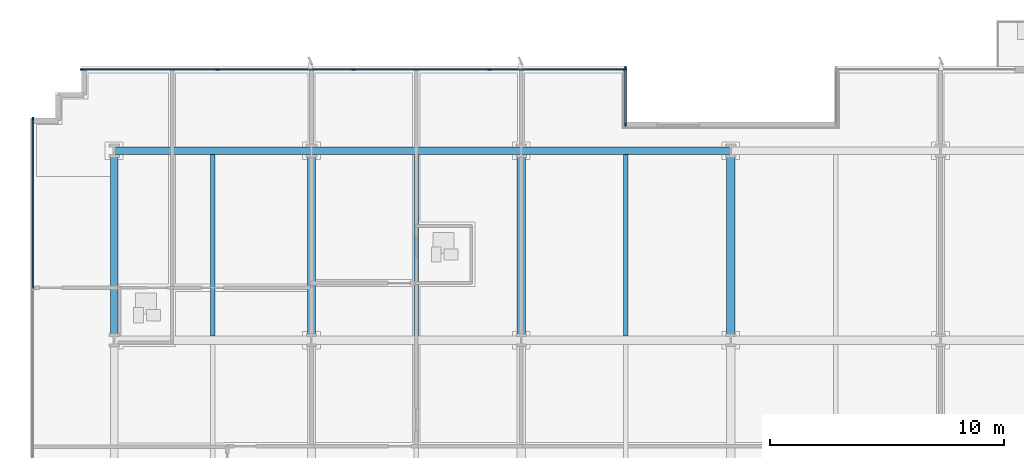
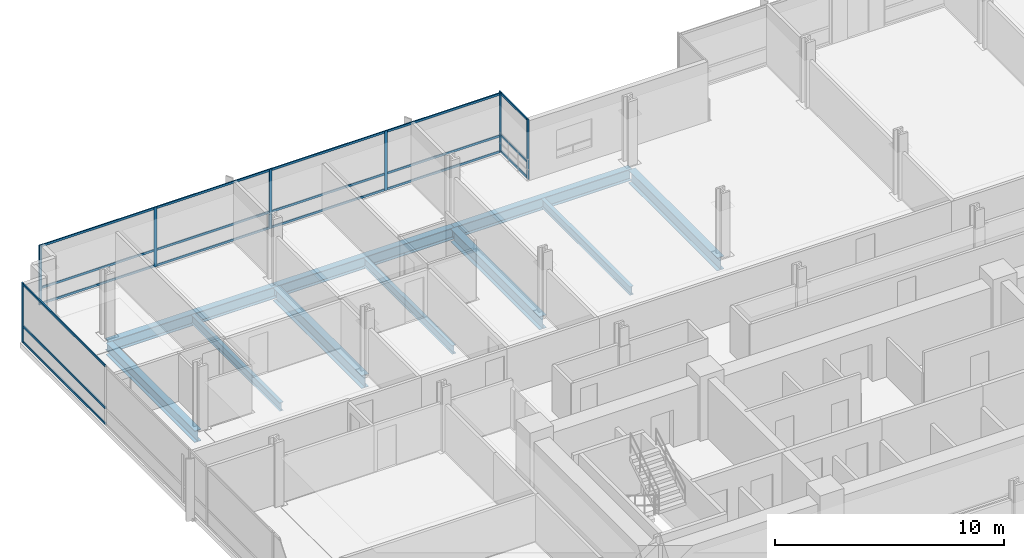
# One storey, part 9 of 21: 26 members, 10 beams, 3 elements without a shape of their own.
"""IFC4 building model written with IfcOpenShell, lengths in metres."""

import ifcopenshell
import ifcopenshell.guid

model = None  # the IFC model being written
_history = None  # IfcOwnerHistory: only IFC2X3 demands one
_inside = {}  # id of a spatial element -> (the spatial element, [elements in it])
_under = {}  # id of a project, library or spatial element -> (it, [spatial elements below it])
_declared = {}  # id of a project -> (the project, [libraries it declares])
_typed = {}  # id of a type object -> (the type object, [elements of that type])
_made_of = {}  # id of a material, layer set ... -> (it, [elements and type objects made of it])


def new_model(schema):
    """Start an empty IFC model of exactly this schema.

    Asked for "IFC4X3", IfcOpenShell would pick the latest addendum, in which some entities
    have other attributes; the version numbers below select the first issue.
    IFC2X3 requires an IfcOwnerHistory on every rooted entity: one is made here for all.
    """
    global model, _history
    if schema == "IFC4X3":
        model = ifcopenshell.file(schema_version=(4, 3, 0, 0))
    else:
        model = ifcopenshell.file(schema=schema)
    _inside.clear()
    _under.clear()
    _declared.clear()
    _typed.clear()
    _made_of.clear()
    _history = None
    if model.schema == "IFC2X3":
        org = make("IfcOrganization", Name="unknown")
        user = make(
            "IfcPersonAndOrganization",
            ThePerson=make("IfcPerson", FamilyName="unknown"),
            TheOrganization=org,
        )
        app = make(
            "IfcApplication",
            ApplicationDeveloper=org,
            Version="unknown",
            ApplicationFullName="unknown",
            ApplicationIdentifier="unknown",
        )
        _history = make(
            "IfcOwnerHistory",
            OwningUser=user,
            OwningApplication=app,
            ChangeAction="ADDED",
            CreationDate=0,
        )
    return model


def make(cls, **values):
    """One entity of the class cls with the attributes given. An attribute that is None is left unset."""
    return model.create_entity(
        cls, **{name: value for name, value in values.items() if value is not None}
    )


def rooted(cls, **values):
    """An entity with a GlobalId (a new one), such as an element, a storey or a relation."""
    return make(cls, GlobalId=ifcopenshell.guid.new(), OwnerHistory=_history, **values)


def si_unit(unit_type, name, prefix=None):
    """IfcSIUnit, for example si_unit("LENGTHUNIT", "METRE", prefix="MILLI")."""
    return make("IfcSIUnit", UnitType=unit_type, Prefix=prefix, Name=name)


def assignment(units):
    """IfcUnitAssignment: the units of a project."""
    return None if units is None else make("IfcUnitAssignment", Units=units)


def point(xyz):
    """IfcCartesianPoint."""
    return None if xyz is None else make("IfcCartesianPoint", Coordinates=xyz)


def direction(xyz):
    """IfcDirection."""
    return None if xyz is None else make("IfcDirection", DirectionRatios=xyz)


def frame(location, z_axis=None, x_axis=None):
    """IfcAxis2Placement3D, a coordinate frame: its origin and axes. An axis left out is left unset."""
    return make(
        "IfcAxis2Placement3D",
        Location=point(location),
        Axis=direction(z_axis),
        RefDirection=direction(x_axis),
    )


def frame_2d(location, x_axis=None):
    """IfcAxis2Placement2D, a coordinate frame in the plane: its origin and x axis."""
    return make(
        "IfcAxis2Placement2D", Location=point(location), RefDirection=direction(x_axis)
    )


def origin():
    """The frame at (0, 0, 0) with its axes left unset."""
    return frame((0.0, 0.0, 0.0))


def origin_2d():
    """The frame at (0, 0) in the plane with its x axis left unset."""
    return frame_2d((0.0, 0.0))


def place(relative_to, where):
    """IfcLocalPlacement: puts the frame where relative to a parent placement (None: the world)."""
    return make(
        "IfcLocalPlacement", PlacementRelTo=relative_to, RelativePlacement=where
    )


def context(
    kind, dimensions, precision=None, world=None, true_north=None, identifier=None
):
    """IfcGeometricRepresentationContext, for example the 3D "Model" context."""
    return make(
        "IfcGeometricRepresentationContext",
        ContextIdentifier=identifier,
        ContextType=kind,
        CoordinateSpaceDimension=dimensions,
        Precision=precision,
        WorldCoordinateSystem=world,
        TrueNorth=true_north,
    )


def subcontext(parent, identifier, kind, view, scale=None):
    """IfcGeometricRepresentationSubContext, for example "Body" below "Model"."""
    return make(
        "IfcGeometricRepresentationSubContext",
        ContextIdentifier=identifier,
        ContextType=kind,
        ParentContext=parent,
        TargetScale=scale,
        TargetView=view,
    )


def project(units=None, contexts=None):
    """IfcProject with its units and contexts."""
    return rooted(
        "IfcProject",
        Name="project",
        RepresentationContexts=contexts,
        UnitsInContext=assignment(units),
    )


def spatial(cls, under=None, at=None, **own):
    """A site, building, storey or space (cls), placed at a placement, below another one or the project."""
    s = rooted(cls, ObjectPlacement=at, **own)
    if under is not None:
        _under.setdefault(under.id(), (under, []))[1].append(s)
    return s


def profile(cls, at=None, kind="AREA", **sizes):
    """A parametric profile (cls). Its sizes go by their IFC names, for example OverallWidth=200.0."""
    return make(cls, ProfileType=kind, Position=at, **sizes)


def rectangle(**sizes):
    """IfcRectangleProfileDef."""
    return profile("IfcRectangleProfileDef", **sizes)


def i_section(**sizes):
    """IfcIShapeProfileDef."""
    return profile("IfcIShapeProfileDef", **sizes)


def extrude(swept, where, along, depth):
    """IfcExtrudedAreaSolid: the profile swept, set in the frame where, extruded along a direction by depth."""
    return make(
        "IfcExtrudedAreaSolid",
        SweptArea=swept,
        Position=where,
        ExtrudedDirection=direction(along),
        Depth=depth,
    )


def shape(context_of_items, identifier, shape_type, items):
    """IfcShapeRepresentation: the items that make up one representation, for example the "Body"."""
    return make(
        "IfcShapeRepresentation",
        ContextOfItems=context_of_items,
        RepresentationIdentifier=identifier,
        RepresentationType=shape_type,
        Items=items,
    )


def material(Name=None, Category=None):
    """IfcMaterial."""
    return make("IfcMaterial", Name=Name, Category=Category)


def material_profile(
    of_material, cross_section, Name=None, Category=None, Priority=None
):
    """IfcMaterialProfile: a cross section and its material."""
    return make(
        "IfcMaterialProfile",
        Name=Name,
        Material=of_material,
        Profile=cross_section,
        Priority=Priority,
        Category=Category,
    )


def profile_set(profiles, Name=None, composite=None):
    """IfcMaterialProfileSet."""
    return make(
        "IfcMaterialProfileSet",
        Name=Name,
        MaterialProfiles=profiles,
        CompositeProfile=composite,
    )


def made_of(thing, what):
    """Note that an element or type object is made of a material, layer set ...; save() writes the relation."""
    if what is not None:
        _made_of.setdefault(what.id(), (what, []))[1].append(thing)
    return thing


def type_object(cls, material=None, **own):
    """A type object (cls), such as IfcWallType, which elements share."""
    return made_of(rooted(cls, **own), material)


def element(
    cls,
    number,
    at=None,
    inside=None,
    cuts=None,
    type_object=None,
    material=None,
    context=None,
    identifier="Body",
    shape_type=None,
    held_by="IfcProductDefinitionShape",
    body=None,
    shapes=None,
    **own,
):
    """One element of the class cls, such as IfcWall. Its Tag is "e" and its number.

    at: its placement. inside: the storey or other place that contains it. cuts: it is an
    opening in that element (IfcRelVoidsElement). A single representation is given by context,
    identifier, shape_type and body (its items); several are given by shapes. held_by: the class
    of the entity that holds the representations. save() writes the other relations.
    """
    e = rooted(cls, Tag="e%d" % number, ObjectPlacement=at, **own)
    if body is not None:
        shapes = [shape(context, identifier, shape_type, body)]
    if shapes is not None:
        e.Representation = make(held_by, Representations=shapes)
    if inside is not None:
        _inside.setdefault(inside.id(), (inside, []))[1].append(e)
    if cuts is not None:
        rooted(
            "IfcRelVoidsElement", RelatingBuildingElement=cuts, RelatedOpeningElement=e
        )
    if type_object is not None:
        _typed.setdefault(type_object.id(), (type_object, []))[1].append(e)
    return made_of(e, material)


def aggregate(whole, parts):
    """IfcRelAggregates: a whole, such as a stair, and the parts it consists of."""
    return rooted("IfcRelAggregates", RelatingObject=whole, RelatedObjects=parts)


def save(model, path):
    """Write the relations noted so far, then the file.

    IfcRelAggregates (storeys below a building ...), IfcRelContainedInSpatialStructure (elements
    in a storey), IfcRelDefinesByType, IfcRelAssociatesMaterial and IfcRelDeclares: one each for
    every whole, place, type object, material and project.
    """
    for whole, parts in _under.values():
        aggregate(whole, parts)
    for where, things in _inside.values():
        rooted(
            "IfcRelContainedInSpatialStructure",
            RelatedElements=things,
            RelatingStructure=where,
        )
    for kind, things in _typed.values():
        rooted("IfcRelDefinesByType", RelatedObjects=things, RelatingType=kind)
    for what, things in _made_of.values():
        rooted("IfcRelAssociatesMaterial", RelatedObjects=things, RelatingMaterial=what)
    for by, libraries in _declared.values():
        rooted("IfcRelDeclares", RelatingContext=by, RelatedDefinitions=libraries)
    model.write(path)


model = new_model("IFC4")

# Units and contexts
model_context = context("Model", 3, precision=1e-05, world=origin(), true_north=direction((0.0, 1.0)))
body_context = subcontext(model_context, "Body", "Model", "MODEL_VIEW")
ifc_project = project(units=[si_unit("LENGTHUNIT", "METRE"), si_unit("AREAUNIT", "SQUARE_METRE"), si_unit("VOLUMEUNIT", "CUBIC_METRE"), si_unit("PLANEANGLEUNIT", "RADIAN"), si_unit("MASSUNIT", "GRAM", prefix="KILO")], contexts=[model_context])

# Site, building, storey
site_placement = place(None, origin())
site = spatial("IfcSite", under=ifc_project, at=site_placement, CompositionType="ELEMENT")
building_placement = place(site_placement, origin())
building = spatial("IfcBuilding", under=site, at=building_placement, Name="Solmavex Isthmus Hotel", CompositionType="ELEMENT")
storey_placement = place(building_placement, frame((0.0, 0.0, 60.89990234375)))
storey = spatial("IfcBuildingStorey", under=building, at=storey_placement, Name="L16", CompositionType="ELEMENT", Elevation=60.89990234375)

# Beams
ifc_material_1 = material(Name="Steel ASTM A992 Grade 50", Category="steel")
ifc_material_profile_1 = material_profile(ifc_material_1, i_section(OverallWidth=0.354736328125, OverallDepth=0.695556640625, WebThickness=0.015380859375, FlangeThickness=0.02490234375, FilletRadius=0.017822265625, at=origin_2d()), Name="W27X146")
ifc_profile_set_1 = profile_set([ifc_material_profile_1], Name="Steel ASTM A992 Grade 50")
beam_type_1 = type_object("IfcBeamType", Name="BM-BG-W27X146", PredefinedType="BEAM", material=ifc_profile_set_1)
for number, where, z_axis, x_axis, name in (
    (1, (-17.951904296875, 8.96533203125, -0.607666015625), (0.0, 1.0, 0.0), (-1.0, 0.0, 0.0), "Floor Beam L16-VG30"),
    (2, (-8.97607421875, 8.96533203125, -0.607666015625), (0.0, 1.0, 0.0), (-1.0, 0.0, 0.0), "Floor Beam L16-VG34"),
    (3, (0.0, 8.96533203125, -0.607666015625), (0.0, 1.0, 0.0), (-1.0, 0.0, 0.0), "Floor Beam L16-VG38"),
):
    element("IfcBeam", number, at=place(storey_placement, frame(where, z_axis=z_axis, x_axis=x_axis)), inside=storey, type_object=beam_type_1, Name=name, PredefinedType="BEAM", context=body_context, shape_type="SweptSolid", body=[
        extrude(i_section(OverallWidth=0.354736328125, OverallDepth=0.695556640625, WebThickness=0.015380859375, FlangeThickness=0.02490234375, FilletRadius=0.017822265625, at=origin_2d()), origin(), (0.0, 0.0, 1.0), 7.771484375),
    ])
ifc_material_profile_2 = material_profile(ifc_material_1, i_section(OverallWidth=0.1904296875, OverallDepth=0.456787109375, WebThickness=0.009033203125, FlangeThickness=0.014404296875, FilletRadius=0.0126953125, at=origin_2d()), Name="W18X50")
ifc_profile_set_2 = profile_set([ifc_material_profile_2], Name="Steel ASTM A992 Grade 50")
beam_type_2 = type_object("IfcBeamType", Name="BM-BJ-W18X50", PredefinedType="JOIST", material=ifc_profile_set_2)
for number, where, z_axis, x_axis, name in (
    (4, (-22.176025390625, 8.96533203125, -0.48828125), (0.0, 1.0, 0.0), (-1.0, 0.0, 0.0), "Secondary Floor Joist L16-J03"),
    (5, (-13.464111328125, 8.96533203125, -0.48828125), (0.0, 1.0, 0.0), (-1.0, 0.0, 0.0), "Secondary Floor Joist L16-J07"),
    (6, (-4.488037109375, 8.96533203125, -0.48828125), (0.0, 1.0, 0.0), (-1.0, 0.0, 0.0), "Secondary Floor Joist L16-J11"),
):
    element("IfcBeam", number, at=place(storey_placement, frame(where, z_axis=z_axis, x_axis=x_axis)), inside=storey, type_object=beam_type_2, Name=name, PredefinedType="JOIST", context=body_context, shape_type="SweptSolid", body=[
        extrude(i_section(OverallWidth=0.1904296875, OverallDepth=0.456787109375, WebThickness=0.009033203125, FlangeThickness=0.014404296875, FilletRadius=0.0126953125, at=origin_2d()), origin(), (0.0, 0.0, 1.0), 7.771484375),
    ])
ifc_material_profile_3 = material_profile(ifc_material_1, i_section(OverallWidth=0.326416015625, OverallDepth=0.621826171875, WebThickness=0.015380859375, FlangeThickness=0.0244140625, FilletRadius=0.01513671875, at=origin_2d()), Name="W24X131")
ifc_profile_set_3 = profile_set([ifc_material_profile_3], Name="Steel ASTM A992 Grade 50")
beam_type_3 = type_object("IfcBeamType", Name="BM-SP-W24X131", PredefinedType="SPANDREL", material=ifc_profile_set_3)
beam_1_placement = place(storey_placement, frame((-26.39990234375, 16.89990234375, -0.57080078125), z_axis=(1.0, 0.0, 0.0), x_axis=(0.0, 1.0, 0.0)))
element("IfcBeam", 7, at=beam_1_placement, inside=storey, type_object=beam_type_3, Name="Floor Girder L16-UG19", PredefinedType="SPANDREL", context=body_context, shape_type="SweptSolid", body=[
    extrude(i_section(OverallWidth=0.326416015625, OverallDepth=0.621826171875, WebThickness=0.015380859375, FlangeThickness=0.0244140625, FilletRadius=0.01513671875, at=origin_2d()), origin(), (0.0, 0.0, 1.0), 8.447998046875),
])
beam_2_placement = place(storey_placement, frame((-17.951904296875, 16.89990234375, -0.57080078125), z_axis=(1.0, 0.0, 0.0), x_axis=(0.0, 1.0, 0.0)))
element("IfcBeam", 8, at=beam_2_placement, inside=storey, type_object=beam_type_3, Name="Floor Girder L16-UG20", PredefinedType="SPANDREL", context=body_context, shape_type="SweptSolid", body=[
    extrude(i_section(OverallWidth=0.326416015625, OverallDepth=0.621826171875, WebThickness=0.015380859375, FlangeThickness=0.0244140625, FilletRadius=0.01513671875, at=origin_2d()), origin(), (0.0, 0.0, 1.0), 8.975830078125),
])
beam_3_placement = place(storey_placement, frame((-8.97607421875, 16.89990234375, -0.57080078125), z_axis=(1.0, 0.0, 0.0), x_axis=(0.0, 1.0, 0.0)))
element("IfcBeam", 9, at=beam_3_placement, inside=storey, type_object=beam_type_3, Name="Floor Girder L16-UG21", PredefinedType="SPANDREL", context=body_context, shape_type="SweptSolid", body=[
    extrude(i_section(OverallWidth=0.326416015625, OverallDepth=0.621826171875, WebThickness=0.015380859375, FlangeThickness=0.0244140625, FilletRadius=0.01513671875, at=origin_2d()), origin(), (0.0, 0.0, 1.0), 8.97607421875),
])
beam_4_placement = place(storey_placement, frame((-26.39990234375, 8.96533203125, -0.57080078125), z_axis=(0.0, 1.0, 0.0), x_axis=(-1.0, 0.0, 0.0)))
element("IfcBeam", 10, at=beam_4_placement, inside=storey, type_object=beam_type_3, Name="Floor Beam L16-VG27", PredefinedType="SPANDREL", context=body_context, shape_type="SweptSolid", body=[
    extrude(i_section(OverallWidth=0.326416015625, OverallDepth=0.621826171875, WebThickness=0.015380859375, FlangeThickness=0.0244140625, FilletRadius=0.01513671875, at=origin_2d()), origin(), (0.0, 0.0, 1.0), 7.771484375),
])

# Curtain wall, members
ifc_material_2 = material(Name="Aluminium alloy 6063-T6", Category="aluminium")
curtain_wall_type = type_object("IfcCurtainWallType", Name="CW-SYS-06", PredefinedType="NOTDEFINED", material=ifc_material_2)
curtain_wall_1_placement = place(storey_placement, origin())
curtain_wall_1 = element("IfcCurtainWall", 11, at=curtain_wall_1_placement, inside=storey, type_object=curtain_wall_type, Name="Stick Curtain Wall CWL-L16-SGW", PredefinedType="NOTDEFINED")
ifc_material_profile_4 = material_profile(ifc_material_2, rectangle(XDim=0.06005859375, YDim=0.139892578125, at=origin_2d()), Name="CWM-60X140")
ifc_profile_set_4 = profile_set([ifc_material_profile_4], Name="Aluminium alloy 6063-T6")
member_type_1 = type_object("IfcMemberType", Name="CW-SYS-06-MUL", PredefinedType="MULLION", material=ifc_profile_set_4)
member_1_placement = place(storey_placement, frame((-4.5, 18.030029296875, 0.0), z_axis=(0.0, 0.0, 1.0), x_axis=(-1.0, 0.0, 0.0)))
member_1 = element("IfcMember", 12, at=member_1_placement, type_object=member_type_1, Name="CW-06 mullion 1", PredefinedType="MULLION", context=body_context, shape_type="SweptSolid", body=[
    extrude(rectangle(XDim=0.06005859375, YDim=0.139892578125, at=origin_2d()), origin(), (0.0, 0.0, 1.0), 3.190185546875),
])
member_2_placement = place(storey_placement, frame((-4.5, 20.449951171875, 0.0), z_axis=(0.0, 0.0, 1.0), x_axis=(-1.0, 0.0, 0.0)))
member_2 = element("IfcMember", 13, at=member_2_placement, type_object=member_type_1, Name="CW-06 mullion 2", PredefinedType="MULLION", context=body_context, shape_type="SweptSolid", body=[
    extrude(rectangle(XDim=0.06005859375, YDim=0.139892578125, at=origin_2d()), origin(), (0.0, 0.0, 1.0), 3.190185546875),
])

curtain_wall_2_placement = place(storey_placement, origin())
curtain_wall_2 = element("IfcCurtainWall", 14, at=curtain_wall_2_placement, inside=storey, type_object=curtain_wall_type, Name="Stick Curtain Wall CWL-L16-N1", PredefinedType="NOTDEFINED")
member_3_placement = place(storey_placement, frame((-27.77001953125, 20.3798828125, 0.0), z_axis=(0.0, 0.0, 1.0), x_axis=(0.0, 1.0, 0.0)))
member_3 = element("IfcMember", 15, at=member_3_placement, type_object=member_type_1, Name="CW-06 mullion 1", PredefinedType="MULLION", context=body_context, shape_type="SweptSolid", body=[
    extrude(rectangle(XDim=0.06005859375, YDim=0.139892578125, at=origin_2d()), origin(), (0.0, 0.0, 1.0), 3.190185546875),
])
member_4_placement = place(storey_placement, frame((-21.97509765625, 20.3798828125, 0.0), z_axis=(0.0, 0.0, 1.0), x_axis=(0.0, 1.0, 0.0)))
member_4 = element("IfcMember", 16, at=member_4_placement, type_object=member_type_1, Name="CW-06 mullion 2", PredefinedType="MULLION", context=body_context, shape_type="SweptSolid", body=[
    extrude(rectangle(XDim=0.06005859375, YDim=0.139892578125, at=origin_2d()), origin(), (0.0, 0.0, 1.0), 3.190185546875),
])
member_5_placement = place(storey_placement, frame((-16.14990234375, 20.3798828125, 0.0), z_axis=(0.0, 0.0, 1.0), x_axis=(0.0, 1.0, 0.0)))
member_5 = element("IfcMember", 17, at=member_5_placement, type_object=member_type_1, Name="CW-06 mullion 3", PredefinedType="MULLION", context=body_context, shape_type="SweptSolid", body=[
    extrude(rectangle(XDim=0.06005859375, YDim=0.139892578125, at=origin_2d()), origin(), (0.0, 0.0, 1.0), 3.190185546875),
])
member_6_placement = place(storey_placement, frame((-10.324951171875, 20.3798828125, 0.0), z_axis=(0.0, 0.0, 1.0), x_axis=(0.0, 1.0, 0.0)))
member_6 = element("IfcMember", 18, at=member_6_placement, type_object=member_type_1, Name="CW-06 mullion 4", PredefinedType="MULLION", context=body_context, shape_type="SweptSolid", body=[
    extrude(rectangle(XDim=0.06005859375, YDim=0.139892578125, at=origin_2d()), origin(), (0.0, 0.0, 1.0), 3.190185546875),
])
member_7_placement = place(storey_placement, frame((-4.530029296875, 20.3798828125, 0.0), z_axis=(0.0, 0.0, 1.0), x_axis=(0.0, 1.0, 0.0)))
member_7 = element("IfcMember", 19, at=member_7_placement, type_object=member_type_1, Name="CW-06 mullion 5", PredefinedType="MULLION", context=body_context, shape_type="SweptSolid", body=[
    extrude(rectangle(XDim=0.06005859375, YDim=0.139892578125, at=origin_2d()), origin(), (0.0, 0.0, 1.0), 3.190185546875),
])

# Curtain wall, member
curtain_wall_3_placement = place(storey_placement, origin())
curtain_wall_3 = element("IfcCurtainWall", 20, at=curtain_wall_3_placement, inside=storey, type_object=curtain_wall_type, Name="Stick Curtain Wall CWL-L16-W1", PredefinedType="NOTDEFINED")
member_8_placement = place(storey_placement, frame((-29.8798828125, 18.27001953125, 0.0), z_axis=(0.0, 0.0, 1.0), x_axis=(-1.0, 0.0, 0.0)))
member_8 = element("IfcMember", 21, at=member_8_placement, type_object=member_type_1, Name="CW-06 mullion 6", PredefinedType="MULLION", context=body_context, shape_type="SweptSolid", body=[
    extrude(rectangle(XDim=0.06005859375, YDim=0.139892578125, at=origin_2d()), origin(), (0.0, 0.0, 1.0), 3.190185546875),
])

# Member
ifc_material_profile_5 = material_profile(ifc_material_2, rectangle(XDim=0.06005859375, YDim=0.114990234375, at=origin_2d()), Name="CWT-60X115")
ifc_profile_set_5 = profile_set([ifc_material_profile_5], Name="Aluminium alloy 6063-T6")
member_type_2 = type_object("IfcMemberType", Name="CW-SYS-06-TRN", PredefinedType="USERDEFINED", material=ifc_profile_set_5)
member_9_placement = place(storey_placement, frame((-4.5, 18.06005859375, 0.0576171875), z_axis=(0.0, 1.0, 0.0), x_axis=(-1.0, 0.0, 0.0)))
member_9 = element("IfcMember", 22, at=member_9_placement, type_object=member_type_2, Name="CW-06 transom 1.1", ObjectType="TRANSOM", PredefinedType="USERDEFINED", context=body_context, shape_type="SweptSolid", body=[
    extrude(rectangle(XDim=0.06005859375, YDim=0.114990234375, at=origin_2d()), origin(), (0.0, 0.0, 1.0), 2.35986328125),
])

member_10_placement = place(storey_placement, frame((-4.5, 18.06005859375, 0.900146484375), z_axis=(0.0, 1.0, 0.0), x_axis=(-1.0, 0.0, 0.0)))
member_10 = element("IfcMember", 23, at=member_10_placement, type_object=member_type_2, Name="CW-06 transom 1.2", ObjectType="TRANSOM", PredefinedType="USERDEFINED", context=body_context, shape_type="SweptSolid", body=[
    extrude(rectangle(XDim=0.06005859375, YDim=0.114990234375, at=origin_2d()), origin(), (0.0, 0.0, 1.0), 2.35986328125),
])

member_11_placement = place(storey_placement, frame((-4.5, 18.06005859375, 3.132568359375), z_axis=(0.0, 1.0, 0.0), x_axis=(-1.0, 0.0, 0.0)))
member_11 = element("IfcMember", 24, at=member_11_placement, type_object=member_type_2, Name="CW-06 transom 1.3", ObjectType="TRANSOM", PredefinedType="USERDEFINED", context=body_context, shape_type="SweptSolid", body=[
    extrude(rectangle(XDim=0.06005859375, YDim=0.114990234375, at=origin_2d()), origin(), (0.0, 0.0, 1.0), 2.35986328125),
])

aggregate(curtain_wall_1, [member_1, member_2, member_9, member_10, member_11])

member_12_placement = place(storey_placement, frame((-27.739990234375, 20.3798828125, 0.0576171875), z_axis=(1.0, 0.0, 0.0), x_axis=(0.0, 1.0, 0.0)))
member_12 = element("IfcMember", 25, at=member_12_placement, type_object=member_type_2, Name="CW-06 transom 1.1", ObjectType="TRANSOM", PredefinedType="USERDEFINED", context=body_context, shape_type="SweptSolid", body=[
    extrude(rectangle(XDim=0.06005859375, YDim=0.114990234375, at=origin_2d()), origin(), (0.0, 0.0, 1.0), 5.735107421875),
])

member_13_placement = place(storey_placement, frame((-27.739990234375, 20.3798828125, 0.900146484375), z_axis=(1.0, 0.0, 0.0), x_axis=(0.0, 1.0, 0.0)))
member_13 = element("IfcMember", 26, at=member_13_placement, type_object=member_type_2, Name="CW-06 transom 1.2", ObjectType="TRANSOM", PredefinedType="USERDEFINED", context=body_context, shape_type="SweptSolid", body=[
    extrude(rectangle(XDim=0.06005859375, YDim=0.114990234375, at=origin_2d()), origin(), (0.0, 0.0, 1.0), 5.735107421875),
])

member_14_placement = place(storey_placement, frame((-27.739990234375, 20.3798828125, 3.132568359375), z_axis=(1.0, 0.0, 0.0), x_axis=(0.0, 1.0, 0.0)))
member_14 = element("IfcMember", 27, at=member_14_placement, type_object=member_type_2, Name="CW-06 transom 1.3", ObjectType="TRANSOM", PredefinedType="USERDEFINED", context=body_context, shape_type="SweptSolid", body=[
    extrude(rectangle(XDim=0.06005859375, YDim=0.114990234375, at=origin_2d()), origin(), (0.0, 0.0, 1.0), 5.735107421875),
])

member_15_placement = place(storey_placement, frame((-21.945068359375, 20.3798828125, 0.0576171875), z_axis=(1.0, 0.0, 0.0), x_axis=(0.0, 1.0, 0.0)))
member_15 = element("IfcMember", 28, at=member_15_placement, type_object=member_type_2, Name="CW-06 transom 2.1", ObjectType="TRANSOM", PredefinedType="USERDEFINED", context=body_context, shape_type="SweptSolid", body=[
    extrude(rectangle(XDim=0.06005859375, YDim=0.114990234375, at=origin_2d()), origin(), (0.0, 0.0, 1.0), 5.76513671875),
])

member_16_placement = place(storey_placement, frame((-21.945068359375, 20.3798828125, 0.900146484375), z_axis=(1.0, 0.0, 0.0), x_axis=(0.0, 1.0, 0.0)))
member_16 = element("IfcMember", 29, at=member_16_placement, type_object=member_type_2, Name="CW-06 transom 2.2", ObjectType="TRANSOM", PredefinedType="USERDEFINED", context=body_context, shape_type="SweptSolid", body=[
    extrude(rectangle(XDim=0.06005859375, YDim=0.114990234375, at=origin_2d()), origin(), (0.0, 0.0, 1.0), 5.76513671875),
])

member_17_placement = place(storey_placement, frame((-21.945068359375, 20.3798828125, 3.132568359375), z_axis=(1.0, 0.0, 0.0), x_axis=(0.0, 1.0, 0.0)))
member_17 = element("IfcMember", 30, at=member_17_placement, type_object=member_type_2, Name="CW-06 transom 2.3", ObjectType="TRANSOM", PredefinedType="USERDEFINED", context=body_context, shape_type="SweptSolid", body=[
    extrude(rectangle(XDim=0.06005859375, YDim=0.114990234375, at=origin_2d()), origin(), (0.0, 0.0, 1.0), 5.76513671875),
])

member_18_placement = place(storey_placement, frame((-16.1201171875, 20.3798828125, 0.0576171875), z_axis=(1.0, 0.0, 0.0), x_axis=(0.0, 1.0, 0.0)))
member_18 = element("IfcMember", 31, at=member_18_placement, type_object=member_type_2, Name="CW-06 transom 3.1", ObjectType="TRANSOM", PredefinedType="USERDEFINED", context=body_context, shape_type="SweptSolid", body=[
    extrude(rectangle(XDim=0.06005859375, YDim=0.114990234375, at=origin_2d()), origin(), (0.0, 0.0, 1.0), 5.76513671875),
])

member_19_placement = place(storey_placement, frame((-16.1201171875, 20.3798828125, 0.900146484375), z_axis=(1.0, 0.0, 0.0), x_axis=(0.0, 1.0, 0.0)))
member_19 = element("IfcMember", 32, at=member_19_placement, type_object=member_type_2, Name="CW-06 transom 3.2", ObjectType="TRANSOM", PredefinedType="USERDEFINED", context=body_context, shape_type="SweptSolid", body=[
    extrude(rectangle(XDim=0.06005859375, YDim=0.114990234375, at=origin_2d()), origin(), (0.0, 0.0, 1.0), 5.76513671875),
])

member_20_placement = place(storey_placement, frame((-16.1201171875, 20.3798828125, 3.132568359375), z_axis=(1.0, 0.0, 0.0), x_axis=(0.0, 1.0, 0.0)))
member_20 = element("IfcMember", 33, at=member_20_placement, type_object=member_type_2, Name="CW-06 transom 3.3", ObjectType="TRANSOM", PredefinedType="USERDEFINED", context=body_context, shape_type="SweptSolid", body=[
    extrude(rectangle(XDim=0.06005859375, YDim=0.114990234375, at=origin_2d()), origin(), (0.0, 0.0, 1.0), 5.76513671875),
])

member_21_placement = place(storey_placement, frame((-10.294921875, 20.3798828125, 0.0576171875), z_axis=(1.0, 0.0, 0.0), x_axis=(0.0, 1.0, 0.0)))
member_21 = element("IfcMember", 34, at=member_21_placement, type_object=member_type_2, Name="CW-06 transom 4.1", ObjectType="TRANSOM", PredefinedType="USERDEFINED", context=body_context, shape_type="SweptSolid", body=[
    extrude(rectangle(XDim=0.06005859375, YDim=0.114990234375, at=origin_2d()), origin(), (0.0, 0.0, 1.0), 5.73486328125),
])

member_22_placement = place(storey_placement, frame((-10.294921875, 20.3798828125, 0.900146484375), z_axis=(1.0, 0.0, 0.0), x_axis=(0.0, 1.0, 0.0)))
member_22 = element("IfcMember", 35, at=member_22_placement, type_object=member_type_2, Name="CW-06 transom 4.2", ObjectType="TRANSOM", PredefinedType="USERDEFINED", context=body_context, shape_type="SweptSolid", body=[
    extrude(rectangle(XDim=0.06005859375, YDim=0.114990234375, at=origin_2d()), origin(), (0.0, 0.0, 1.0), 5.73486328125),
])

member_23_placement = place(storey_placement, frame((-10.294921875, 20.3798828125, 3.132568359375), z_axis=(1.0, 0.0, 0.0), x_axis=(0.0, 1.0, 0.0)))
member_23 = element("IfcMember", 36, at=member_23_placement, type_object=member_type_2, Name="CW-06 transom 4.3", ObjectType="TRANSOM", PredefinedType="USERDEFINED", context=body_context, shape_type="SweptSolid", body=[
    extrude(rectangle(XDim=0.06005859375, YDim=0.114990234375, at=origin_2d()), origin(), (0.0, 0.0, 1.0), 5.73486328125),
])

aggregate(curtain_wall_2, [member_3, member_4, member_5, member_6, member_7, member_12, member_13, member_14, member_15, member_16, member_17, member_18, member_19, member_20, member_21, member_22, member_23])

member_24_placement = place(storey_placement, frame((-29.8798828125, 11.010009765625, 0.0576171875), z_axis=(0.0, 1.0, 0.0), x_axis=(-1.0, 0.0, 0.0)))
member_24 = element("IfcMember", 37, at=member_24_placement, type_object=member_type_2, Name="CW-06 transom 5.1", ObjectType="TRANSOM", PredefinedType="USERDEFINED", context=body_context, shape_type="SweptSolid", body=[
    extrude(rectangle(XDim=0.06005859375, YDim=0.114990234375, at=origin_2d()), origin(), (0.0, 0.0, 1.0), 7.22998046875),
])

member_25_placement = place(storey_placement, frame((-29.8798828125, 11.010009765625, 0.900146484375), z_axis=(0.0, 1.0, 0.0), x_axis=(-1.0, 0.0, 0.0)))
member_25 = element("IfcMember", 38, at=member_25_placement, type_object=member_type_2, Name="CW-06 transom 5.2", ObjectType="TRANSOM", PredefinedType="USERDEFINED", context=body_context, shape_type="SweptSolid", body=[
    extrude(rectangle(XDim=0.06005859375, YDim=0.114990234375, at=origin_2d()), origin(), (0.0, 0.0, 1.0), 7.22998046875),
])

member_26_placement = place(storey_placement, frame((-29.8798828125, 11.010009765625, 3.132568359375), z_axis=(0.0, 1.0, 0.0), x_axis=(-1.0, 0.0, 0.0)))
member_26 = element("IfcMember", 39, at=member_26_placement, type_object=member_type_2, Name="CW-06 transom 5.3", ObjectType="TRANSOM", PredefinedType="USERDEFINED", context=body_context, shape_type="SweptSolid", body=[
    extrude(rectangle(XDim=0.06005859375, YDim=0.114990234375, at=origin_2d()), origin(), (0.0, 0.0, 1.0), 7.22998046875),
])

aggregate(curtain_wall_3, [member_8, member_24, member_25, member_26])

save(model, "model.ifc")
